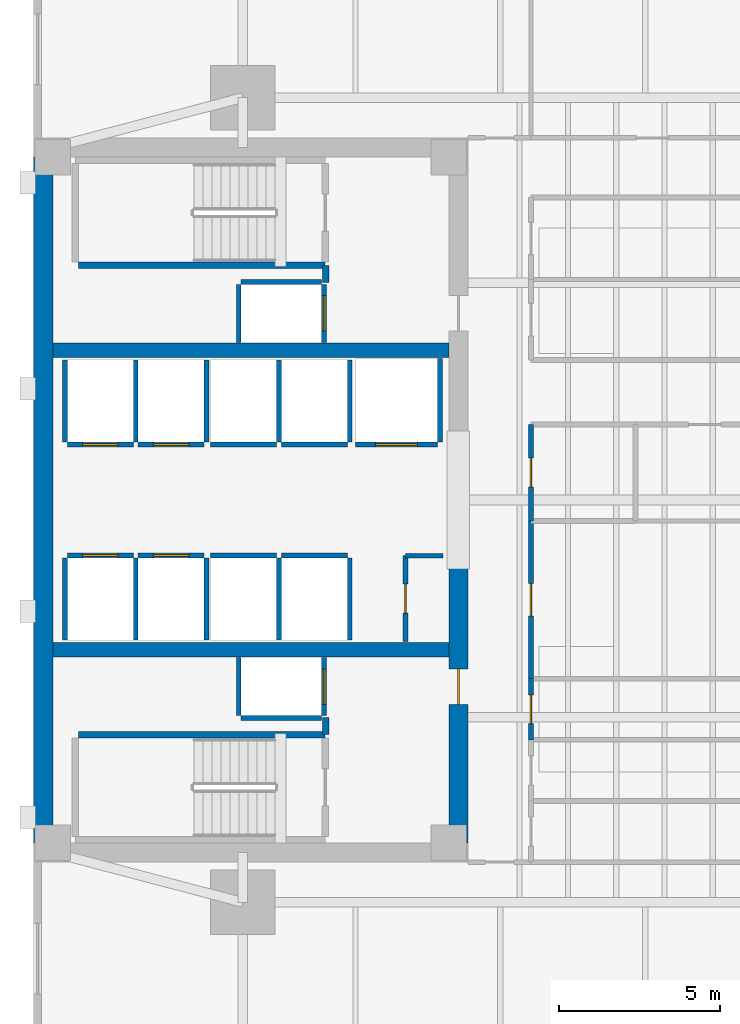
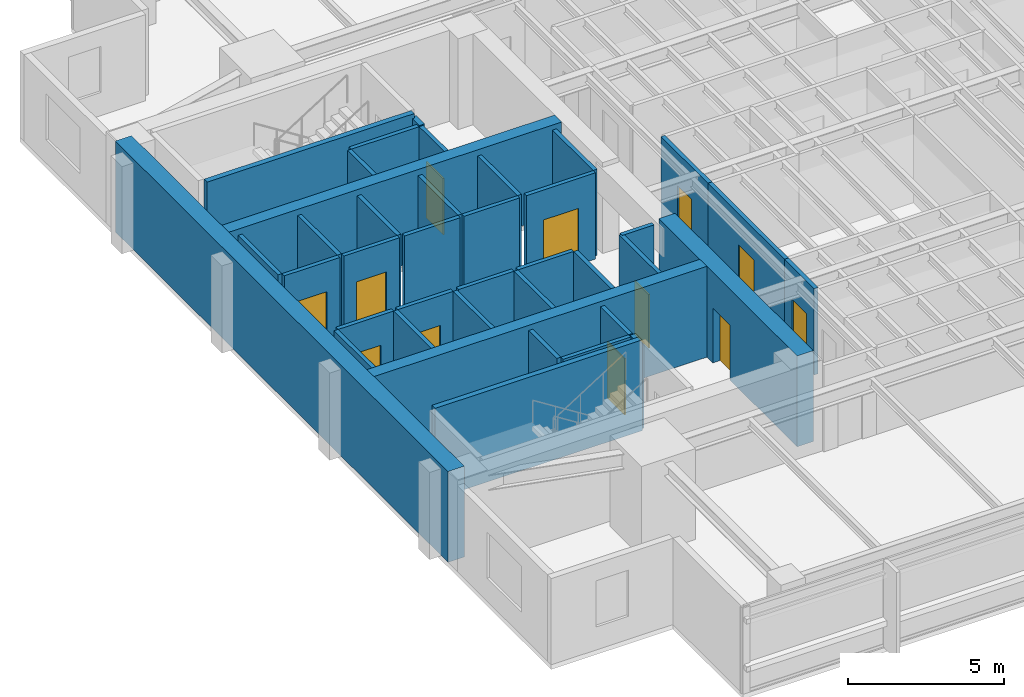
# One storey, part 8 of 14: 39 walls, 12 doors, 12 openings.
"""IFC4 building model written with IfcOpenShell, lengths in metres."""

from ifc_helpers import new_model, si_unit, direction, frame, frame_2d, origin, place, context, subcontext, project, spatial, rectangle, extrude, material, layer, layer_set, type_object, element, fill, save


model = new_model("IFC4")

# Units and contexts
model_context = context("Model", 3, precision=1e-05, world=origin(), true_north=direction((0.0, 1.0)))
body_context = subcontext(model_context, "Body", "Model", "MODEL_VIEW")
ifc_project = project(units=[si_unit("LENGTHUNIT", "METRE"), si_unit("AREAUNIT", "SQUARE_METRE"), si_unit("VOLUMEUNIT", "CUBIC_METRE"), si_unit("PLANEANGLEUNIT", "RADIAN"), si_unit("MASSUNIT", "GRAM", prefix="KILO")], contexts=[model_context])

# Site, building, storey
site_placement = place(None, origin())
site = spatial("IfcSite", under=ifc_project, at=site_placement, CompositionType="ELEMENT")
building_placement = place(site_placement, origin())
building = spatial("IfcBuilding", under=site, at=building_placement, Name="Kinhvarn Gate Tower", CompositionType="ELEMENT")
storey_placement = place(building_placement, frame((0.0, 0.0, 162.60009765625)))
storey = spatial("IfcBuildingStorey", under=building, at=storey_placement, Name="L43", CompositionType="ELEMENT", Elevation=162.60009765625)

# Walls
ifc_material_1 = material(Name="Concrete C50/60", Category="concrete")
ifc_layer_1 = layer(ifc_material_1, 0.449951171875)
ifc_layer_set_1 = layer_set([ifc_layer_1], Name="Concrete C50/60")
wall_type_1 = type_object("IfcWallType", Name="WL-CORE-450", PredefinedType="SHEAR", material=ifc_layer_set_1)
for number, where, z_axis, x_axis, name in (
    (1, (5.10009765625, 20.60009765625, 0.0), (0.0, 0.0, 1.0), (1.0, 0.0, 0.0), "Core South Spine Shear Wall L43 450 mm"),
    (2, (5.10009765625, 29.89990234375, 0.0), (0.0, 0.0, 1.0), (1.0, 0.0, 0.0), "Core North Spine Shear Wall L43 450 mm"),
):
    element("IfcWall", number, at=place(storey_placement, frame(where, z_axis=z_axis, x_axis=x_axis)), inside=storey, type_object=wall_type_1, Name=name, PredefinedType="SHEAR", context=body_context, shape_type="SweptSolid", body=[
        extrude(rectangle(XDim=12.2998046875, YDim=0.449951171875, at=frame_2d((6.14990234375, 0.0))), origin(), (0.0, 0.0, 1.0), 3.5498046875),
    ])

# Wall, opening, door
ifc_material_2 = material(Name="Concrete C60/75", Category="concrete")
ifc_layer_2 = layer(ifc_material_2, 0.60009765625)
ifc_layer_set_2 = layer_set([ifc_layer_2], Name="Concrete C60/75")
wall_type_2 = type_object("IfcWallType", Name="WL-CORE-600", PredefinedType="SHEAR", material=ifc_layer_set_2)
wall_1_placement = place(storey_placement, frame((17.699951171875, 14.60009765625, 0.0), z_axis=(0.0, 0.0, 1.0), x_axis=(0.0, 1.0, 0.0)))
wall_1 = element("IfcWall", 3, at=wall_1_placement, inside=storey, type_object=wall_type_2, Name="Core East-South Shear Pier L43 600 mm", PredefinedType="SHEAR", context=body_context, shape_type="SweptSolid", body=[
    extrude(rectangle(XDim=8.849853515625, YDim=0.60009765625, at=frame_2d((4.4248046875, 0.0))), origin(), (0.0, 0.0, 1.0), 3.5498046875),
])
opening_1_placement = place(wall_1_placement, frame((4.300048828125, 0.0, 0.0)))
opening_1 = element("IfcOpeningElement", 4, at=opening_1_placement, cuts=wall_1, Name="Opening FD-02", PredefinedType="OPENING", context=body_context, shape_type="SweptSolid", body=[
    extrude(rectangle(XDim=1.10009765625, YDim=2.14990234375, at=frame_2d((0.550048828125, 1.074951171875))), frame((0.0, 0.31005859375, 0.0), z_axis=(0.0, -1.0, 0.0), x_axis=(1.0, 0.0, 0.0)), (0.0, 0.0, 1.0), 0.6201171875),
])
ifc_material_3 = material(Name="Anodised aluminium AW-6063", Category="aluminium")
door_type_1 = type_object("IfcDoorType", Name="DR-FD-1100", OperationType="NOTDEFINED", PredefinedType="DOOR", material=ifc_material_3)
door_1_placement = place(opening_1_placement, origin())
door_1 = element("IfcDoor", 5, at=door_1_placement, inside=storey, type_object=door_type_1, Name="Firefighting Lobby Core Door (L43)", OperationType="SINGLE_SWING_RIGHT", OverallHeight=2.14990234375, OverallWidth=1.10009765625, PredefinedType="DOOR", context=body_context, shape_type="SweptSolid", body=[
    extrude(rectangle(XDim=1.10009765625, YDim=2.14990234375, at=frame_2d((0.550048828125, 1.074951171875))), frame((0.0, 0.02490234375, 0.0), z_axis=(0.0, -1.0, 0.0), x_axis=(1.0, 0.0, 0.0)), (0.0, 0.0, 1.0), 0.050048828125),
])
fill(opening_1, door_1)

# Wall
ifc_layer_3 = layer(ifc_material_2, 0.60009765625)
ifc_layer_set_3 = layer_set([ifc_layer_3], Name="Concrete C60/75")
wall_type_3 = type_object("IfcWallType", Name="WL-COREX-600", PredefinedType="SHEAR", material=ifc_layer_set_3)
wall_2_placement = place(storey_placement, frame((4.800048828125, 14.60009765625, 0.0), z_axis=(0.0, 0.0, 1.0), x_axis=(0.0, 1.0, 0.0)))
element("IfcWall", 6, at=wall_2_placement, inside=storey, type_object=wall_type_3, Name="Core West Shear Wall L43 600 mm", PredefinedType="SHEAR", context=body_context, shape_type="SweptSolid", body=[
    extrude(rectangle(XDim=21.2998046875, YDim=0.60009765625, at=frame_2d((10.64990234375, 0.0))), origin(), (0.0, 0.0, 1.0), 3.5498046875),
])

# Wall, opening, door
ifc_material_4 = material(Name="Gypsum acoustic partition board")
ifc_layer_4 = layer(ifc_material_4, 0.14990234375)
ifc_layer_set_4 = layer_set([ifc_layer_4], Name="Gypsum acoustic partition board")
wall_type_4 = type_object("IfcWallType", Name="WL-PLM-150F", PredefinedType="PLUMBINGWALL", material=ifc_layer_set_4)
wall_3_placement = place(storey_placement, frame((19.949951171875, 24.60009765625, 0.0), z_axis=(0.0, 0.0, 1.0), x_axis=(0.0, 1.0, 0.0)))
wall_3 = element("IfcWall", 7, at=wall_3_placement, inside=storey, type_object=wall_type_4, Name="Interior Partition PLW-150F (L43)", PredefinedType="PLUMBINGWALL", context=body_context, shape_type="SweptSolid", body=[
    extrude(rectangle(XDim=3.0, YDim=0.14990234375, at=frame_2d((1.5, 0.0))), origin(), (0.0, 0.0, 1.0), 3.369873046875),
])
opening_2_placement = place(wall_3_placement, frame((1.050048828125, 0.0, 0.0)))
opening_2 = element("IfcOpeningElement", 8, at=opening_2_placement, cuts=wall_3, Name="Opening FD-04", PredefinedType="OPENING", context=body_context, shape_type="SweptSolid", body=[
    extrude(rectangle(XDim=0.89990234375, YDim=2.10009765625, at=frame_2d((0.449951171875, 1.050048828125))), frame((0.0, 0.0849609375, 0.0), z_axis=(0.0, -1.0, 0.0), x_axis=(1.0, 0.0, 0.0)), (0.0, 0.0, 1.0), 0.169921875),
])
door_type_2 = type_object("IfcDoorType", Name="DR-FD-900", OperationType="NOTDEFINED", PredefinedType="DOOR", material=ifc_material_3)
door_2_placement = place(opening_2_placement, origin())
door_2 = element("IfcDoor", 9, at=door_2_placement, inside=storey, type_object=door_type_2, Name="Rated Riser & Service Closet Fire Door 900x2100 mm (L43)", OperationType="SINGLE_SWING_RIGHT", OverallHeight=2.10009765625, OverallWidth=0.89990234375, PredefinedType="DOOR", context=body_context, shape_type="SweptSolid", body=[
    extrude(rectangle(XDim=0.89990234375, YDim=2.10009765625, at=frame_2d((0.449951171875, 1.050048828125))), frame((0.0, 0.02490234375, 0.0), z_axis=(0.0, -1.0, 0.0), x_axis=(1.0, 0.0, 0.0)), (0.0, 0.0, 1.0), 0.050048828125),
])
fill(opening_2, door_2)

wall_4_placement = place(storey_placement, frame((19.949951171875, 17.800048828125, 0.0), z_axis=(0.0, 0.0, 1.0), x_axis=(0.0, 1.0, 0.0)))
wall_4 = element("IfcWall", 10, at=wall_4_placement, inside=storey, type_object=wall_type_4, Name="Interior Partition PLW-150F (L43)", PredefinedType="PLUMBINGWALL", context=body_context, shape_type="SweptSolid", body=[
    extrude(rectangle(XDim=1.89990234375, YDim=0.14990234375, at=frame_2d((0.949951171875, 0.0))), origin(), (0.0, 0.0, 1.0), 3.369873046875),
])
opening_3_placement = place(wall_4_placement, frame((0.5, 0.0, 0.0)))
opening_3 = element("IfcOpeningElement", 11, at=opening_3_placement, cuts=wall_4, Name="Opening FD-04", PredefinedType="OPENING", context=body_context, shape_type="SweptSolid", body=[
    extrude(rectangle(XDim=0.89990234375, YDim=2.10009765625, at=frame_2d((0.449951171875, 1.050048828125))), frame((0.0, 0.0849609375, 0.0), z_axis=(0.0, -1.0, 0.0), x_axis=(1.0, 0.0, 0.0)), (0.0, 0.0, 1.0), 0.169921875),
])
door_3_placement = place(opening_3_placement, origin())
door_3 = element("IfcDoor", 12, at=door_3_placement, inside=storey, type_object=door_type_2, Name="Rated Riser & Service Closet Fire Door 900x2100 mm (L43)", OperationType="SINGLE_SWING_RIGHT", OverallHeight=2.10009765625, OverallWidth=0.89990234375, PredefinedType="DOOR", context=body_context, shape_type="SweptSolid", body=[
    extrude(rectangle(XDim=0.89990234375, YDim=2.10009765625, at=frame_2d((0.449951171875, 1.050048828125))), frame((0.0, 0.02490234375, 0.0), z_axis=(0.0, -1.0, 0.0), x_axis=(1.0, 0.0, 0.0)), (0.0, 0.0, 1.0), 0.050048828125),
])
fill(opening_3, door_3)

ifc_layer_5 = layer(ifc_material_4, 0.14990234375)
ifc_layer_set_5 = layer_set([ifc_layer_5], Name="Gypsum acoustic partition board")
wall_type_5 = type_object("IfcWallType", Name="WL-PRT-150F", PredefinedType="PARTITIONING", material=ifc_layer_set_5)
wall_5_placement = place(storey_placement, frame((16.050048828125, 20.85009765625, 0.0), z_axis=(0.0, 0.0, 1.0), x_axis=(0.0, 1.0, 0.0)))
wall_5 = element("IfcWall", 13, at=wall_5_placement, inside=storey, type_object=wall_type_5, Name="Interior Partition PW-150F (L43)", PredefinedType="PARTITIONING", context=body_context, shape_type="SweptSolid", body=[
    extrude(rectangle(XDim=2.669921875, YDim=0.14990234375, at=frame_2d((1.3349609375, 0.0))), origin(), (0.0, 0.0, 1.0), 3.369873046875),
])
opening_4_placement = place(wall_5_placement, frame((0.885009765625, 0.0, 0.0)))
opening_4 = element("IfcOpeningElement", 14, at=opening_4_placement, cuts=wall_5, Name="Opening FD-04", PredefinedType="OPENING", context=body_context, shape_type="SweptSolid", body=[
    extrude(rectangle(XDim=0.89990234375, YDim=2.10009765625, at=frame_2d((0.449951171875, 1.050048828125))), frame((0.0, 0.0849609375, 0.0), z_axis=(0.0, -1.0, 0.0), x_axis=(1.0, 0.0, 0.0)), (0.0, 0.0, 1.0), 0.169921875),
])
door_4_placement = place(opening_4_placement, origin())
door_4 = element("IfcDoor", 15, at=door_4_placement, inside=storey, type_object=door_type_2, Name="Rated Riser & Service Closet Fire Door 900x2100 mm (L43)", OperationType="SINGLE_SWING_LEFT", OverallHeight=2.10009765625, OverallWidth=0.89990234375, PredefinedType="DOOR", context=body_context, shape_type="SweptSolid", body=[
    extrude(rectangle(XDim=0.89990234375, YDim=2.10009765625, at=frame_2d((0.449951171875, 1.050048828125))), frame((0.0, 0.02490234375, 0.0), z_axis=(0.0, -1.0, 0.0), x_axis=(1.0, 0.0, 0.0)), (0.0, 0.0, 1.0), 0.050048828125),
])
fill(opening_4, door_4)

# Wall
wall_6_placement = place(storey_placement, frame((16.050048828125, 23.52001953125, 0.0), z_axis=(0.0, 0.0, 1.0), x_axis=(1.0, 0.0, 0.0)))
element("IfcWall", 16, at=wall_6_placement, inside=storey, type_object=wall_type_5, Name="Interior Partition PW-150F (L43)", PredefinedType="PARTITIONING", context=body_context, shape_type="SweptSolid", body=[
    extrude(rectangle(XDim=1.169921875, YDim=0.14990234375, at=frame_2d((0.5849609375, 0.0))), origin(), (0.0, 0.0, 1.0), 3.369873046875),
])

# Wall, opening, door
wall_7_placement = place(storey_placement, frame((19.949951171875, 19.699951171875, 0.0), z_axis=(0.0, 0.0, 1.0), x_axis=(0.0, 1.0, 0.0)))
wall_7 = element("IfcWall", 17, at=wall_7_placement, inside=storey, type_object=wall_type_5, Name="Interior Partition PW-150F (L43)", PredefinedType="PARTITIONING", context=body_context, shape_type="SweptSolid", body=[
    extrude(rectangle(XDim=4.900146484375, YDim=0.14990234375, at=frame_2d((2.4501953125, 0.0))), origin(), (0.0, 0.0, 1.0), 3.369873046875),
])
opening_5_placement = place(wall_7_placement, frame((1.949951171875, 0.0, 0.0)))
opening_5 = element("IfcOpeningElement", 18, at=opening_5_placement, cuts=wall_7, Name="Opening ID-02", PredefinedType="OPENING", context=body_context, shape_type="SweptSolid", body=[
    extrude(rectangle(XDim=1.0, YDim=2.14990234375, at=frame_2d((0.5, 1.074951171875))), frame((0.0, 0.0849609375, 0.0), z_axis=(0.0, -1.0, 0.0), x_axis=(1.0, 0.0, 0.0)), (0.0, 0.0, 1.0), 0.169921875),
])
door_type_3 = type_object("IfcDoorType", Name="DR-INT-1000", OperationType="NOTDEFINED", PredefinedType="DOOR", material=ifc_material_3)
door_5_placement = place(opening_5_placement, origin())
door_5 = element("IfcDoor", 19, at=door_5_placement, inside=storey, type_object=door_type_3, Name="Standard Office & Meeting Room Door 1000x2150 mm (L43)", OperationType="SINGLE_SWING_LEFT", OverallHeight=2.14990234375, OverallWidth=1.0, PredefinedType="DOOR", context=body_context, shape_type="SweptSolid", body=[
    extrude(rectangle(XDim=1.0, YDim=2.14990234375, at=frame_2d((0.5, 1.074951171875))), frame((0.0, 0.02490234375, 0.0), z_axis=(0.0, -1.0, 0.0), x_axis=(1.0, 0.0, 0.0)), (0.0, 0.0, 1.0), 0.050048828125),
])
fill(opening_5, door_5)

# Walls
ifc_layer_6 = layer(ifc_material_4, 0.199951171875)
ifc_layer_set_6 = layer_set([ifc_layer_6], Name="Gypsum acoustic partition board")
wall_type_6 = type_object("IfcWallType", Name="WL-PRT-200", PredefinedType="PARTITIONING", material=ifc_layer_set_6)
for number, where, z_axis, x_axis, name in (
    (20, (13.580078125, 17.9599609375, 0.0), (0.0, 0.0, 1.0), (0.0, 1.0, 0.0), "Interior Partition PW-200 (L43)"),
    (21, (13.580078125, 32.0, 0.0), (0.0, 0.0, 1.0), (0.0, 1.0, 0.0), "Interior Partition PW-200 (L43)"),
):
    element("IfcWall", number, at=place(storey_placement, frame(where, z_axis=z_axis, x_axis=x_axis)), inside=storey, type_object=wall_type_6, Name=name, PredefinedType="PARTITIONING", context=body_context, shape_type="SweptSolid", body=[
        extrude(rectangle(XDim=0.5400390625, YDim=0.199951171875, at=frame_2d((0.27001953125, 0.0))), origin(), (0.0, 0.0, 1.0), 3.369873046875),
    ])

# Wall, opening, door
ifc_layer_7 = layer(ifc_material_4, 0.14990234375)
ifc_layer_set_7 = layer_set([ifc_layer_7], Name="Gypsum acoustic partition board")
wall_type_7 = type_object("IfcWallType", Name="WL-SHF-150", PredefinedType="PARTITIONING", material=ifc_layer_set_7)
wall_8_placement = place(storey_placement, frame((5.550048828125, 23.52490234375, 0.0), z_axis=(0.0, 0.0, 1.0), x_axis=(1.0, 0.0, 0.0)))
wall_8 = element("IfcWall", 22, at=wall_8_placement, inside=storey, type_object=wall_type_7, Name="Elevator PM-05 Landing Wall (L43)", PredefinedType="PARTITIONING", context=body_context, shape_type="SweptSolid", body=[
    extrude(rectangle(XDim=2.050048828125, YDim=0.14990234375, at=frame_2d((1.02490234375, 0.0))), origin(), (0.0, 0.0, 1.0), 3.369873046875),
])
opening_6_placement = place(wall_8_placement, frame((0.47509765625, 0.0, 0.0)))
opening_6 = element("IfcOpeningElement", 23, at=opening_6_placement, cuts=wall_8, Name="Opening LD-01", PredefinedType="OPENING", context=body_context, shape_type="SweptSolid", body=[
    extrude(rectangle(XDim=1.10009765625, YDim=2.199951171875, at=frame_2d((0.550048828125, 1.10009765625))), frame((0.0, 0.0849609375, 0.0), z_axis=(0.0, -1.0, 0.0), x_axis=(1.0, 0.0, 0.0)), (0.0, 0.0, 1.0), 0.169921875),
])
door_type_4 = type_object("IfcDoorType", Name="DR-LND-PAS", OperationType="NOTDEFINED", PredefinedType="DOOR", material=ifc_material_3)
door_6_placement = place(opening_6_placement, origin())
door_6 = element("IfcDoor", 24, at=door_6_placement, inside=storey, type_object=door_type_4, Name="Elevator PM-05 Sliding Landing Door (L43)", OperationType="DOUBLE_DOOR_SLIDING", OverallHeight=2.199951171875, OverallWidth=1.10009765625, PredefinedType="DOOR", context=body_context, shape_type="SweptSolid", body=[
    extrude(rectangle(XDim=1.10009765625, YDim=2.199951171875, at=frame_2d((0.550048828125, 1.10009765625))), frame((0.0, 0.02490234375, 0.0), z_axis=(0.0, -1.0, 0.0), x_axis=(1.0, 0.0, 0.0)), (0.0, 0.0, 1.0), 0.050048828125),
])
fill(opening_6, door_6)

# Walls
for number, where, z_axis, x_axis, name in (
    (25, (5.47509765625, 20.89990234375, 0.0), (0.0, 0.0, 1.0), (0.0, 1.0, 0.0), "Elevator PM-05 Hoistway Wall W (L43)"),
    (26, (7.675048828125, 20.89990234375, 0.0), (0.0, 0.0, 1.0), (0.0, 1.0, 0.0), "Elevator PM-05 Hoistway Wall E (L43)"),
):
    element("IfcWall", number, at=place(storey_placement, frame(where, z_axis=z_axis, x_axis=x_axis)), inside=storey, type_object=wall_type_7, Name=name, PredefinedType="PARTITIONING", context=body_context, shape_type="SweptSolid", body=[
        extrude(rectangle(XDim=2.550048828125, YDim=0.14990234375, at=frame_2d((1.27490234375, 0.0))), origin(), (0.0, 0.0, 1.0), 3.369873046875),
    ])

# Wall, opening, door
wall_9_placement = place(storey_placement, frame((7.75, 23.52490234375, 0.0), z_axis=(0.0, 0.0, 1.0), x_axis=(1.0, 0.0, 0.0)))
wall_9 = element("IfcWall", 27, at=wall_9_placement, inside=storey, type_object=wall_type_7, Name="Elevator PM-06 Landing Wall (L43)", PredefinedType="PARTITIONING", context=body_context, shape_type="SweptSolid", body=[
    extrude(rectangle(XDim=2.050048828125, YDim=0.14990234375, at=frame_2d((1.02490234375, 0.0))), origin(), (0.0, 0.0, 1.0), 3.369873046875),
])
opening_7_placement = place(wall_9_placement, frame((0.47509765625, 0.0, 0.0)))
opening_7 = element("IfcOpeningElement", 28, at=opening_7_placement, cuts=wall_9, Name="Opening LD-01", PredefinedType="OPENING", context=body_context, shape_type="SweptSolid", body=[
    extrude(rectangle(XDim=1.10009765625, YDim=2.199951171875, at=frame_2d((0.550048828125, 1.10009765625))), frame((0.0, 0.0849609375, 0.0), z_axis=(0.0, -1.0, 0.0), x_axis=(1.0, 0.0, 0.0)), (0.0, 0.0, 1.0), 0.169921875),
])
door_7_placement = place(opening_7_placement, origin())
door_7 = element("IfcDoor", 29, at=door_7_placement, inside=storey, type_object=door_type_4, Name="Elevator PM-06 Sliding Landing Door (L43)", OperationType="DOUBLE_DOOR_SLIDING", OverallHeight=2.199951171875, OverallWidth=1.10009765625, PredefinedType="DOOR", context=body_context, shape_type="SweptSolid", body=[
    extrude(rectangle(XDim=1.10009765625, YDim=2.199951171875, at=frame_2d((0.550048828125, 1.10009765625))), frame((0.0, 0.02490234375, 0.0), z_axis=(0.0, -1.0, 0.0), x_axis=(1.0, 0.0, 0.0)), (0.0, 0.0, 1.0), 0.050048828125),
])
fill(opening_7, door_7)

# Wall
wall_10_placement = place(storey_placement, frame((9.875, 20.89990234375, 0.0), z_axis=(0.0, 0.0, 1.0), x_axis=(0.0, 1.0, 0.0)))
element("IfcWall", 30, at=wall_10_placement, inside=storey, type_object=wall_type_7, Name="Elevator PM-06 Hoistway Wall E (L43)", PredefinedType="PARTITIONING", context=body_context, shape_type="SweptSolid", body=[
    extrude(rectangle(XDim=2.550048828125, YDim=0.14990234375, at=frame_2d((1.27490234375, 0.0))), origin(), (0.0, 0.0, 1.0), 3.369873046875),
])

# Wall, opening, door
wall_11_placement = place(storey_placement, frame((5.550048828125, 26.97509765625, 0.0), z_axis=(0.0, 0.0, 1.0), x_axis=(1.0, 0.0, 0.0)))
wall_11 = element("IfcWall", 31, at=wall_11_placement, inside=storey, type_object=wall_type_7, Name="Elevator PM-07 Landing Wall (L43)", PredefinedType="PARTITIONING", context=body_context, shape_type="SweptSolid", body=[
    extrude(rectangle(XDim=2.050048828125, YDim=0.14990234375, at=frame_2d((1.02490234375, 0.0))), origin(), (0.0, 0.0, 1.0), 3.369873046875),
])
opening_8_placement = place(wall_11_placement, frame((0.47509765625, 0.0, 0.0)))
opening_8 = element("IfcOpeningElement", 32, at=opening_8_placement, cuts=wall_11, Name="Opening LD-01", PredefinedType="OPENING", context=body_context, shape_type="SweptSolid", body=[
    extrude(rectangle(XDim=1.10009765625, YDim=2.199951171875, at=frame_2d((0.550048828125, 1.10009765625))), frame((0.0, 0.0849609375, 0.0), z_axis=(0.0, -1.0, 0.0), x_axis=(1.0, 0.0, 0.0)), (0.0, 0.0, 1.0), 0.169921875),
])
door_8_placement = place(opening_8_placement, origin())
door_8 = element("IfcDoor", 33, at=door_8_placement, inside=storey, type_object=door_type_4, Name="Elevator PM-07 Sliding Landing Door (L43)", OperationType="DOUBLE_DOOR_SLIDING", OverallHeight=2.199951171875, OverallWidth=1.10009765625, PredefinedType="DOOR", context=body_context, shape_type="SweptSolid", body=[
    extrude(rectangle(XDim=1.10009765625, YDim=2.199951171875, at=frame_2d((0.550048828125, 1.10009765625))), frame((0.0, 0.02490234375, 0.0), z_axis=(0.0, -1.0, 0.0), x_axis=(1.0, 0.0, 0.0)), (0.0, 0.0, 1.0), 0.050048828125),
])
fill(opening_8, door_8)

# Walls
for number, where, z_axis, x_axis, name in (
    (34, (5.47509765625, 27.050048828125, 0.0), (0.0, 0.0, 1.0), (0.0, 1.0, 0.0), "Elevator PM-07 Hoistway Wall W (L43)"),
    (35, (7.675048828125, 27.050048828125, 0.0), (0.0, 0.0, 1.0), (0.0, 1.0, 0.0), "Elevator PM-07 Hoistway Wall E (L43)"),
):
    element("IfcWall", number, at=place(storey_placement, frame(where, z_axis=z_axis, x_axis=x_axis)), inside=storey, type_object=wall_type_7, Name=name, PredefinedType="PARTITIONING", context=body_context, shape_type="SweptSolid", body=[
        extrude(rectangle(XDim=2.550048828125, YDim=0.14990234375, at=frame_2d((1.27490234375, 0.0))), origin(), (0.0, 0.0, 1.0), 3.369873046875),
    ])

# Wall, opening, door
wall_12_placement = place(storey_placement, frame((7.75, 26.97509765625, 0.0), z_axis=(0.0, 0.0, 1.0), x_axis=(1.0, 0.0, 0.0)))
wall_12 = element("IfcWall", 36, at=wall_12_placement, inside=storey, type_object=wall_type_7, Name="Elevator PM-08 Landing Wall (L43)", PredefinedType="PARTITIONING", context=body_context, shape_type="SweptSolid", body=[
    extrude(rectangle(XDim=2.050048828125, YDim=0.14990234375, at=frame_2d((1.02490234375, 0.0))), origin(), (0.0, 0.0, 1.0), 3.369873046875),
])
opening_9_placement = place(wall_12_placement, frame((0.47509765625, 0.0, 0.0)))
opening_9 = element("IfcOpeningElement", 37, at=opening_9_placement, cuts=wall_12, Name="Opening LD-01", PredefinedType="OPENING", context=body_context, shape_type="SweptSolid", body=[
    extrude(rectangle(XDim=1.10009765625, YDim=2.199951171875, at=frame_2d((0.550048828125, 1.10009765625))), frame((0.0, 0.0849609375, 0.0), z_axis=(0.0, -1.0, 0.0), x_axis=(1.0, 0.0, 0.0)), (0.0, 0.0, 1.0), 0.169921875),
])
door_9_placement = place(opening_9_placement, origin())
door_9 = element("IfcDoor", 38, at=door_9_placement, inside=storey, type_object=door_type_4, Name="Elevator PM-08 Sliding Landing Door (L43)", OperationType="DOUBLE_DOOR_SLIDING", OverallHeight=2.199951171875, OverallWidth=1.10009765625, PredefinedType="DOOR", context=body_context, shape_type="SweptSolid", body=[
    extrude(rectangle(XDim=1.10009765625, YDim=2.199951171875, at=frame_2d((0.550048828125, 1.10009765625))), frame((0.0, 0.02490234375, 0.0), z_axis=(0.0, -1.0, 0.0), x_axis=(1.0, 0.0, 0.0)), (0.0, 0.0, 1.0), 0.050048828125),
])
fill(opening_9, door_9)

# Walls
wall_13_placement = place(storey_placement, frame((9.875, 27.050048828125, 0.0), z_axis=(0.0, 0.0, 1.0), x_axis=(0.0, 1.0, 0.0)))
element("IfcWall", 39, at=wall_13_placement, inside=storey, type_object=wall_type_7, Name="Elevator PM-08 Hoistway Wall E (L43)", PredefinedType="PARTITIONING", context=body_context, shape_type="SweptSolid", body=[
    extrude(rectangle(XDim=2.550048828125, YDim=0.14990234375, at=frame_2d((1.27490234375, 0.0))), origin(), (0.0, 0.0, 1.0), 3.369873046875),
])
wall_14_placement = place(storey_placement, frame((10.0, 23.52490234375, 0.0), z_axis=(0.0, 0.0, 1.0), x_axis=(1.0, 0.0, 0.0)))
element("IfcWall", 40, at=wall_14_placement, inside=storey, type_object=wall_type_7, Name="Elevator PH-09 Landing Wall (L43)", PredefinedType="PARTITIONING", context=body_context, shape_type="SweptSolid", body=[
    extrude(rectangle(XDim=2.050048828125, YDim=0.14990234375, at=frame_2d((1.02490234375, 0.0))), origin(), (0.0, 0.0, 1.0), 3.369873046875),
])
wall_15_placement = place(storey_placement, frame((12.125, 20.89990234375, 0.0), z_axis=(0.0, 0.0, 1.0), x_axis=(0.0, 1.0, 0.0)))
element("IfcWall", 41, at=wall_15_placement, inside=storey, type_object=wall_type_7, Name="Elevator PH-09 Hoistway Wall E (L43)", PredefinedType="PARTITIONING", context=body_context, shape_type="SweptSolid", body=[
    extrude(rectangle(XDim=2.550048828125, YDim=0.14990234375, at=frame_2d((1.27490234375, 0.0))), origin(), (0.0, 0.0, 1.0), 3.369873046875),
])
wall_16_placement = place(storey_placement, frame((12.199951171875, 23.52490234375, 0.0), z_axis=(0.0, 0.0, 1.0), x_axis=(1.0, 0.0, 0.0)))
element("IfcWall", 42, at=wall_16_placement, inside=storey, type_object=wall_type_7, Name="Elevator PH-10 Landing Wall (L43)", PredefinedType="PARTITIONING", context=body_context, shape_type="SweptSolid", body=[
    extrude(rectangle(XDim=2.050048828125, YDim=0.14990234375, at=frame_2d((1.02490234375, 0.0))), origin(), (0.0, 0.0, 1.0), 3.369873046875),
])
wall_17_placement = place(storey_placement, frame((14.324951171875, 20.89990234375, 0.0), z_axis=(0.0, 0.0, 1.0), x_axis=(0.0, 1.0, 0.0)))
element("IfcWall", 43, at=wall_17_placement, inside=storey, type_object=wall_type_7, Name="Elevator PH-10 Hoistway Wall E (L43)", PredefinedType="PARTITIONING", context=body_context, shape_type="SweptSolid", body=[
    extrude(rectangle(XDim=2.550048828125, YDim=0.14990234375, at=frame_2d((1.27490234375, 0.0))), origin(), (0.0, 0.0, 1.0), 3.369873046875),
])
wall_18_placement = place(storey_placement, frame((10.0, 26.97509765625, 0.0), z_axis=(0.0, 0.0, 1.0), x_axis=(1.0, 0.0, 0.0)))
element("IfcWall", 44, at=wall_18_placement, inside=storey, type_object=wall_type_7, Name="Elevator PH-11 Landing Wall (L43)", PredefinedType="PARTITIONING", context=body_context, shape_type="SweptSolid", body=[
    extrude(rectangle(XDim=2.050048828125, YDim=0.14990234375, at=frame_2d((1.02490234375, 0.0))), origin(), (0.0, 0.0, 1.0), 3.369873046875),
])
wall_19_placement = place(storey_placement, frame((12.125, 27.050048828125, 0.0), z_axis=(0.0, 0.0, 1.0), x_axis=(0.0, 1.0, 0.0)))
element("IfcWall", 45, at=wall_19_placement, inside=storey, type_object=wall_type_7, Name="Elevator PH-11 Hoistway Wall E (L43)", PredefinedType="PARTITIONING", context=body_context, shape_type="SweptSolid", body=[
    extrude(rectangle(XDim=2.550048828125, YDim=0.14990234375, at=frame_2d((1.27490234375, 0.0))), origin(), (0.0, 0.0, 1.0), 3.369873046875),
])
wall_20_placement = place(storey_placement, frame((12.199951171875, 26.97509765625, 0.0), z_axis=(0.0, 0.0, 1.0), x_axis=(1.0, 0.0, 0.0)))
element("IfcWall", 46, at=wall_20_placement, inside=storey, type_object=wall_type_7, Name="Elevator PH-12 Landing Wall (L43)", PredefinedType="PARTITIONING", context=body_context, shape_type="SweptSolid", body=[
    extrude(rectangle(XDim=2.050048828125, YDim=0.14990234375, at=frame_2d((1.02490234375, 0.0))), origin(), (0.0, 0.0, 1.0), 3.369873046875),
])
wall_21_placement = place(storey_placement, frame((14.324951171875, 27.050048828125, 0.0), z_axis=(0.0, 0.0, 1.0), x_axis=(0.0, 1.0, 0.0)))
element("IfcWall", 47, at=wall_21_placement, inside=storey, type_object=wall_type_7, Name="Elevator PH-12 Hoistway Wall E (L43)", PredefinedType="PARTITIONING", context=body_context, shape_type="SweptSolid", body=[
    extrude(rectangle(XDim=2.550048828125, YDim=0.14990234375, at=frame_2d((1.27490234375, 0.0))), origin(), (0.0, 0.0, 1.0), 3.369873046875),
])

# Wall, opening, door
wall_22_placement = place(storey_placement, frame((14.5, 26.97509765625, 0.0), z_axis=(0.0, 0.0, 1.0), x_axis=(1.0, 0.0, 0.0)))
wall_22 = element("IfcWall", 48, at=wall_22_placement, inside=storey, type_object=wall_type_7, Name="Elevator SV-01 Landing Wall (L43)", PredefinedType="PARTITIONING", context=body_context, shape_type="SweptSolid", body=[
    extrude(rectangle(XDim=2.550048828125, YDim=0.14990234375, at=frame_2d((1.27490234375, 0.0))), origin(), (0.0, 0.0, 1.0), 3.369873046875),
])
opening_10_placement = place(wall_22_placement, frame((0.625, 0.0, 0.0)))
opening_10 = element("IfcOpeningElement", 49, at=opening_10_placement, cuts=wall_22, Name="Opening LD-02", PredefinedType="OPENING", context=body_context, shape_type="SweptSolid", body=[
    extrude(rectangle(XDim=1.300048828125, YDim=2.199951171875, at=frame_2d((0.64990234375, 1.10009765625))), frame((0.0, 0.0849609375, 0.0), z_axis=(0.0, -1.0, 0.0), x_axis=(1.0, 0.0, 0.0)), (0.0, 0.0, 1.0), 0.169921875),
])
door_type_5 = type_object("IfcDoorType", Name="DR-LND-SRV", OperationType="NOTDEFINED", PredefinedType="DOOR", material=ifc_material_3)
door_10_placement = place(opening_10_placement, origin())
door_10 = element("IfcDoor", 50, at=door_10_placement, inside=storey, type_object=door_type_5, Name="Elevator SV-01 Sliding Landing Door (L43)", OperationType="DOUBLE_DOOR_SLIDING", OverallHeight=2.199951171875, OverallWidth=1.300048828125, PredefinedType="DOOR", context=body_context, shape_type="SweptSolid", body=[
    extrude(rectangle(XDim=1.300048828125, YDim=2.199951171875, at=frame_2d((0.64990234375, 1.10009765625))), frame((0.0, 0.02490234375, 0.0), z_axis=(0.0, -1.0, 0.0), x_axis=(1.0, 0.0, 0.0)), (0.0, 0.0, 1.0), 0.050048828125),
])
fill(opening_10, door_10)

# Walls
wall_23_placement = place(storey_placement, frame((17.125, 27.050048828125, 0.0), z_axis=(0.0, 0.0, 1.0), x_axis=(0.0, 1.0, 0.0)))
element("IfcWall", 51, at=wall_23_placement, inside=storey, type_object=wall_type_7, Name="Elevator SV-01 Hoistway Wall E (L43)", PredefinedType="PARTITIONING", context=body_context, shape_type="SweptSolid", body=[
    extrude(rectangle(XDim=2.599853515625, YDim=0.14990234375, at=frame_2d((1.2998046875, 0.0))), origin(), (0.0, 0.0, 1.0), 3.369873046875),
])
wall_24_placement = place(storey_placement, frame((10.949951171875, 18.47509765625, 0.0), z_axis=(0.0, 0.0, 1.0), x_axis=(1.0, 0.0, 0.0)))
element("IfcWall", 52, at=wall_24_placement, inside=storey, type_object=wall_type_7, Name="Elevator FF1 Hoistway Wall S (L43)", PredefinedType="PARTITIONING", context=body_context, shape_type="SweptSolid", body=[
    extrude(rectangle(XDim=2.5, YDim=0.14990234375, at=frame_2d((1.25, 0.0))), origin(), (0.0, 0.0, 1.0), 3.369873046875),
])
wall_25_placement = place(storey_placement, frame((10.875, 18.550048828125, 0.0), z_axis=(0.0, 0.0, 1.0), x_axis=(0.0, 1.0, 0.0)))
element("IfcWall", 53, at=wall_25_placement, inside=storey, type_object=wall_type_7, Name="Elevator FF1 Hoistway Wall W (L43)", PredefinedType="PARTITIONING", context=body_context, shape_type="SweptSolid", body=[
    extrude(rectangle(XDim=1.800048828125, YDim=0.14990234375, at=frame_2d((0.89990234375, 0.0))), origin(), (0.0, 0.0, 1.0), 3.369873046875),
])

# Wall, opening, door
wall_26_placement = place(storey_placement, frame((13.52490234375, 18.550048828125, 0.0), z_axis=(0.0, 0.0, 1.0), x_axis=(0.0, 1.0, 0.0)))
wall_26 = element("IfcWall", 54, at=wall_26_placement, inside=storey, type_object=wall_type_7, Name="Elevator FF1 Landing Wall (L43)", PredefinedType="PARTITIONING", context=body_context, shape_type="SweptSolid", body=[
    extrude(rectangle(XDim=1.800048828125, YDim=0.14990234375, at=frame_2d((0.89990234375, 0.0))), origin(), (0.0, 0.0, 1.0), 3.369873046875),
])
opening_11_placement = place(wall_26_placement, frame((0.35009765625, 0.0, 0.0)))
opening_11 = element("IfcOpeningElement", 55, at=opening_11_placement, cuts=wall_26, Name="Opening LD-03", PredefinedType="OPENING", context=body_context, shape_type="SweptSolid", body=[
    extrude(rectangle(XDim=1.10009765625, YDim=2.199951171875, at=frame_2d((0.550048828125, 1.10009765625))), frame((0.0, 0.0849609375, 0.0), z_axis=(0.0, -1.0, 0.0), x_axis=(1.0, 0.0, 0.0)), (0.0, 0.0, 1.0), 0.169921875),
])
door_type_6 = type_object("IfcDoorType", Name="DR-LND-FF", OperationType="NOTDEFINED", PredefinedType="DOOR", material=ifc_material_3)
door_11_placement = place(opening_11_placement, origin())
door_11 = element("IfcDoor", 56, at=door_11_placement, inside=storey, type_object=door_type_6, Name="Elevator FF1 Sliding Landing Door (L43)", OperationType="DOUBLE_DOOR_SLIDING", OverallHeight=2.199951171875, OverallWidth=1.10009765625, PredefinedType="DOOR", context=body_context, shape_type="SweptSolid", body=[
    extrude(rectangle(XDim=1.10009765625, YDim=2.199951171875, at=frame_2d((0.550048828125, 1.10009765625))), frame((0.0, 0.02490234375, 0.0), z_axis=(0.0, -1.0, 0.0), x_axis=(1.0, 0.0, 0.0)), (0.0, 0.0, 1.0), 0.050048828125),
])
fill(opening_11, door_11)

# Walls
wall_27_placement = place(storey_placement, frame((10.949951171875, 32.02490234375, 0.0), z_axis=(0.0, 0.0, 1.0), x_axis=(1.0, 0.0, 0.0)))
element("IfcWall", 57, at=wall_27_placement, inside=storey, type_object=wall_type_7, Name="Elevator FF2 Hoistway Wall N (L43)", PredefinedType="PARTITIONING", context=body_context, shape_type="SweptSolid", body=[
    extrude(rectangle(XDim=2.5, YDim=0.14990234375, at=frame_2d((1.25, 0.0))), origin(), (0.0, 0.0, 1.0), 3.369873046875),
])
wall_28_placement = place(storey_placement, frame((10.875, 30.14990234375, 0.0), z_axis=(0.0, 0.0, 1.0), x_axis=(0.0, 1.0, 0.0)))
element("IfcWall", 58, at=wall_28_placement, inside=storey, type_object=wall_type_7, Name="Elevator FF2 Hoistway Wall W (L43)", PredefinedType="PARTITIONING", context=body_context, shape_type="SweptSolid", body=[
    extrude(rectangle(XDim=1.800048828125, YDim=0.14990234375, at=frame_2d((0.89990234375, 0.0))), origin(), (0.0, 0.0, 1.0), 3.369873046875),
])

# Wall, opening, door
wall_29_placement = place(storey_placement, frame((13.52490234375, 30.14990234375, 0.0), z_axis=(0.0, 0.0, 1.0), x_axis=(0.0, 1.0, 0.0)))
wall_29 = element("IfcWall", 59, at=wall_29_placement, inside=storey, type_object=wall_type_7, Name="Elevator FF2 Landing Wall (L43)", PredefinedType="PARTITIONING", context=body_context, shape_type="SweptSolid", body=[
    extrude(rectangle(XDim=1.800048828125, YDim=0.14990234375, at=frame_2d((0.89990234375, 0.0))), origin(), (0.0, 0.0, 1.0), 3.369873046875),
])
opening_12_placement = place(wall_29_placement, frame((0.35009765625, 0.0, 0.0)))
opening_12 = element("IfcOpeningElement", 60, at=opening_12_placement, cuts=wall_29, Name="Opening LD-03", PredefinedType="OPENING", context=body_context, shape_type="SweptSolid", body=[
    extrude(rectangle(XDim=1.10009765625, YDim=2.199951171875, at=frame_2d((0.550048828125, 1.10009765625))), frame((0.0, 0.0849609375, 0.0), z_axis=(0.0, -1.0, 0.0), x_axis=(1.0, 0.0, 0.0)), (0.0, 0.0, 1.0), 0.169921875),
])
door_12_placement = place(opening_12_placement, origin())
door_12 = element("IfcDoor", 61, at=door_12_placement, inside=storey, type_object=door_type_6, Name="Elevator FF2 Sliding Landing Door (L43)", OperationType="DOUBLE_DOOR_SLIDING", OverallHeight=2.199951171875, OverallWidth=1.10009765625, PredefinedType="DOOR", context=body_context, shape_type="SweptSolid", body=[
    extrude(rectangle(XDim=1.10009765625, YDim=2.199951171875, at=frame_2d((0.550048828125, 1.10009765625))), frame((0.0, 0.02490234375, 0.0), z_axis=(0.0, -1.0, 0.0), x_axis=(1.0, 0.0, 0.0)), (0.0, 0.0, 1.0), 0.050048828125),
])
fill(opening_12, door_12)

# Walls
ifc_material_5 = material(Name="Concrete C40/50", Category="concrete")
ifc_layer_8 = layer(ifc_material_5, 0.199951171875)
ifc_layer_set_8 = layer_set([ifc_layer_8], Name="Concrete C40/50")
wall_type_8 = type_object("IfcWallType", Name="WL-SHF-200", PredefinedType="SOLIDWALL", material=ifc_layer_set_8)
for number, where, z_axis, x_axis, name in (
    (62, (5.89990234375, 17.9599609375, 0.0), (0.0, 0.0, 1.0), (1.0, 0.0, 0.0), "Stair ST1 North Shaft Wall (L43)"),
    (63, (5.89990234375, 32.5400390625, 0.0), (0.0, 0.0, 1.0), (1.0, 0.0, 0.0), "Stair ST2 South Shaft Wall (L43)"),
):
    element("IfcWall", number, at=place(storey_placement, frame(where, z_axis=z_axis, x_axis=x_axis)), inside=storey, type_object=wall_type_8, Name=name, PredefinedType="SOLIDWALL", context=body_context, shape_type="SweptSolid", body=[
        extrude(rectangle(XDim=7.66015625, YDim=0.199951171875, at=frame_2d((3.830078125, 0.0))), origin(), (0.0, 0.0, 1.0), 3.5498046875),
    ])

save(model, "model.ifc")
